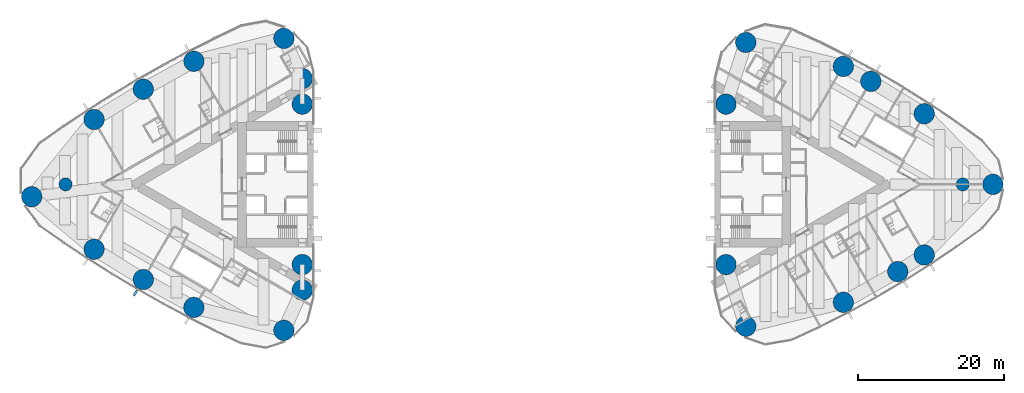
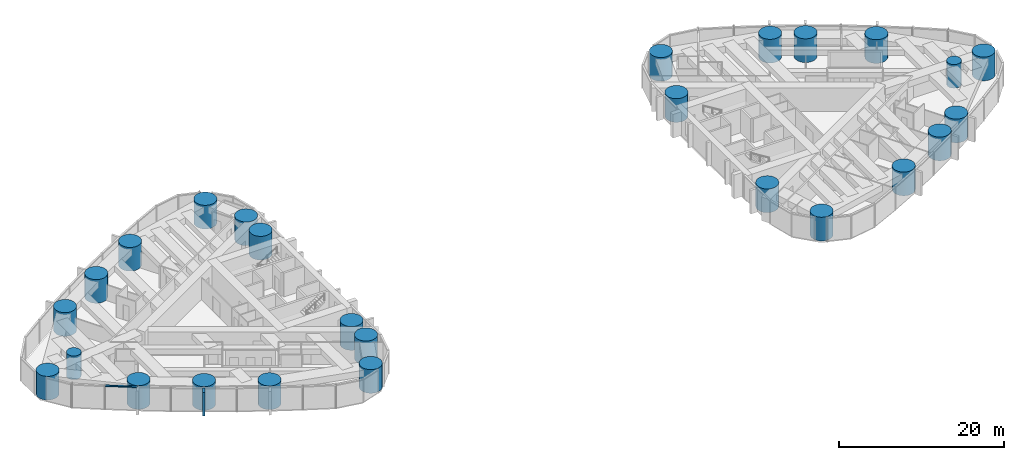
# One storey, part 1 of 19: 26 columns, 2 members, 1 element without a shape of its own.
"""IFC4 building model written with IfcOpenShell, lengths in metres."""

from ifc_helpers import new_model, si_unit, direction, frame, origin, origin_2d, place, context, subcontext, project, spatial, rectangle, circle, extrude, material, material_profile, profile_set, type_object, element, aggregate, save


model = new_model("IFC4")

# Units and contexts
model_context = context("Model", 3, precision=1e-05, world=origin(), true_north=direction((0.0, 1.0)))
body_context = subcontext(model_context, "Body", "Model", "MODEL_VIEW")
ifc_project = project(units=[si_unit("LENGTHUNIT", "METRE"), si_unit("AREAUNIT", "SQUARE_METRE"), si_unit("VOLUMEUNIT", "CUBIC_METRE"), si_unit("PLANEANGLEUNIT", "RADIAN"), si_unit("MASSUNIT", "GRAM", prefix="KILO")], contexts=[model_context])

# Site, building, storey
site_placement = place(None, origin())
site = spatial("IfcSite", under=ifc_project, at=site_placement, CompositionType="ELEMENT")
building_placement = place(site_placement, origin())
building = spatial("IfcBuilding", under=site, at=building_placement, Name="Lancet Gate Hotel", CompositionType="ELEMENT")
storey_placement = place(building_placement, frame((0.0, 0.0, 191.300048828125)))
storey = spatial("IfcBuildingStorey", under=building, at=storey_placement, Name="L51", CompositionType="ELEMENT", Elevation=191.300048828125)

# Columns
ifc_material_1 = material(Name="Concrete C60/75", Category="concrete")
ifc_material_profile_1 = material_profile(ifc_material_1, circle(Radius=0.89990234375, at=origin_2d()), Name="RC D1800")
ifc_profile_set_1 = profile_set([ifc_material_profile_1], Name="Concrete C60/75")
column_type_1 = type_object("IfcColumnType", Name="Apex column RC D1800", PredefinedType="COLUMN", material=ifc_profile_set_1)
for number, where, z_axis, x_axis, name in (
    (1, (-61.5, 0.0, 0.0), (0.0, 0.0, 1.0), (1.0, 0.0, 0.0), "T1 column AX L51"),
    (2, (61.5, 0.0, 0.0), (0.0, 0.0, 1.0), (1.0, 0.0, 0.0), "T2 column AX L51"),
):
    element("IfcColumn", number, at=place(storey_placement, frame(where, z_axis=z_axis, x_axis=x_axis)), inside=storey, type_object=column_type_1, Name=name, PredefinedType="COLUMN", context=body_context, shape_type="SweptSolid", body=[
        extrude(circle(Radius=0.89990234375, at=origin_2d()), origin(), (0.0, 0.0, 1.0), 3.5),
    ])
ifc_material_2 = material(Name="Concrete C60/75", Category="concrete")
ifc_material_profile_2 = material_profile(ifc_material_2, circle(Radius=1.39990234375, at=origin_2d()), Name="RC D2800")
ifc_profile_set_2 = profile_set([ifc_material_profile_2], Name="Concrete C60/75")
column_type_2 = type_object("IfcColumnType", Name="Perimeter column RC D2800", PredefinedType="COLUMN", material=ifc_profile_set_2)
for number, where, z_axis, x_axis, name in (
    (3, (-66.142578125, -1.6953125, 0.0), (0.0, 0.0, 1.0), (1.0, 0.0, 0.0), "T1 column CA L51"),
    (4, (-31.5654296875, -20.015869140625, 0.0), (0.0, 0.0, 1.0), (1.0, 0.0, 0.0), "T1 column CN L51"),
    (5, (-31.5654296875, 20.015869140625, 0.0), (0.0, 0.0, 1.0), (1.0, 0.0, 0.0), "T1 column CS L51"),
    (6, (-29.050048828125, -11.0, 0.0), (0.0, 0.0, 1.0), (1.0, 0.0, 0.0), "T1 column IN L51"),
    (7, (-29.050048828125, 11.0, 0.0), (0.0, 0.0, 1.0), (1.0, 0.0, 0.0), "T1 column IS L51"),
    (8, (-29.050048828125, 14.5, 0.0), (0.0, 0.0, 1.0), (1.0, 0.0, 0.0), "T1 column IT L51"),
    (9, (-29.050048828125, -14.5, 0.0), (0.0, 0.0, 1.0), (1.0, 0.0, 0.0), "T1 column JT L51"),
    (10, (-57.589599609375, -8.89306640625, 0.0), (0.0, 0.0, 1.0), (1.0, 0.0, 0.0), "T1 column ON1 L51"),
    (11, (-50.8388671875, -13.043212890625, 0.0), (0.0, 0.0, 1.0), (1.0, 0.0, 0.0), "T1 column ON2 L51"),
    (12, (-43.900390625, -16.871337890625, 0.0), (0.0, 0.0, 1.0), (1.0, 0.0, 0.0), "T1 column ON3 L51"),
    (13, (-43.900390625, 16.871337890625, 0.0), (0.0, 0.0, 1.0), (1.0, 0.0, 0.0), "T1 column OS1 L51"),
    (14, (-50.8388671875, 13.043212890625, 0.0), (0.0, 0.0, 1.0), (1.0, 0.0, 0.0), "T1 column OS2 L51"),
    (15, (-57.589599609375, 8.89306640625, 0.0), (0.0, 0.0, 1.0), (1.0, 0.0, 0.0), "T1 column OS3 L51"),
    (16, (65.6396484375, 0.0, 0.0), (0.0, 0.0, 1.0), (1.0, 0.0, 0.0), "T2 column CA L51"),
    (17, (31.759765625, 19.455810546875, 0.0), (0.0, 0.0, 1.0), (1.0, 0.0, 0.0), "T2 column CN L51"),
    (18, (31.759765625, -19.455810546875, 0.0), (0.0, 0.0, 1.0), (1.0, 0.0, 0.0), "T2 column CS L51"),
    (19, (29.050048828125, 11.0, 0.0), (0.0, 0.0, 1.0), (1.0, 0.0, 0.0), "T2 column IN L51"),
    (20, (29.050048828125, -11.0, 0.0), (0.0, 0.0, 1.0), (1.0, 0.0, 0.0), "T2 column IS L51"),
    (21, (56.220947265625, 9.67236328125, 0.0), (0.0, 0.0, 1.0), (1.0, 0.0, 0.0), "T2 column ON1 L51"),
    (22, (48.8974609375, 14.12060546875, 0.0), (0.0, 0.0, 1.0), (1.0, 0.0, 0.0), "T2 column ON2 L51"),
    (23, (45.133544921875, 16.16845703125, 0.0), (0.0, 0.0, 1.0), (1.0, 0.0, 0.0), "T2 column ON3 L51"),
    (24, (45.133544921875, -16.16845703125, 0.0), (0.0, 0.0, 1.0), (1.0, 0.0, 0.0), "T2 column OS1 L51"),
    (25, (52.594482421875, -11.95458984375, 0.0), (0.0, 0.0, 1.0), (1.0, 0.0, 0.0), "T2 column OS2 L51"),
    (26, (56.220947265625, -9.67236328125, 0.0), (0.0, 0.0, 1.0), (1.0, 0.0, 0.0), "T2 column OS3 L51"),
):
    element("IfcColumn", number, at=place(storey_placement, frame(where, z_axis=z_axis, x_axis=x_axis)), inside=storey, type_object=column_type_2, Name=name, PredefinedType="COLUMN", context=body_context, shape_type="SweptSolid", body=[
        extrude(circle(Radius=1.39990234375, at=origin_2d()), origin(), (0.0, 0.0, 1.0), 3.5),
    ])

# Curtain wall, members
ifc_material_3 = material(Name="Aluminium curtain wall", Category="aluminium")
curtain_wall_type = type_object("IfcCurtainWallType", Name="Tower unitised curtain wall", PredefinedType="USERDEFINED", material=ifc_material_3)
curtain_wall_placement = place(storey_placement, origin())
curtain_wall = element("IfcCurtainWall", 27, at=curtain_wall_placement, inside=storey, type_object=curtain_wall_type, Name="T1 L51 curtain wall 3", ObjectType="UNITISED CURTAIN WALL", PredefinedType="USERDEFINED")
ifc_material_4 = material(Name="Aluminium transom", Category="aluminium")
ifc_material_profile_3 = material_profile(ifc_material_4, rectangle(XDim=0.25, YDim=0.14990234375, at=origin_2d()), Name="TRANSOM 250x150")
ifc_profile_set_3 = profile_set([ifc_material_profile_3], Name="Aluminium transom")
member_type_1 = type_object("IfcMemberType", Name="Aluminium transom 250x150", PredefinedType="USERDEFINED", material=ifc_profile_set_3)
member_1_placement = place(storey_placement, frame((-61.735595703125, -7.998779296875, 3.425048828125), z_axis=(0.832870509189, -0.553467898729, 0.0), x_axis=(0.553467898729, 0.832870509189, 0.0)))
member_1 = element("IfcMember", 28, at=member_1_placement, type_object=member_type_1, Name="T1 L51 curtain wall 3 transom 3", ObjectType="TRANSOM", PredefinedType="USERDEFINED", context=body_context, shape_type="SweptSolid", body=[
    extrude(rectangle(XDim=0.25, YDim=0.14990234375, at=origin_2d()), origin(), (0.0, 0.0, 1.0), 3.933837890625),
])
ifc_material_5 = material(Name="Precast concrete C50/60", Category="concrete")
ifc_material_profile_4 = material_profile(ifc_material_5, rectangle(XDim=0.300048828125, YDim=0.89990234375, at=origin_2d()), Name="FIN 300x900")
ifc_profile_set_4 = profile_set([ifc_material_profile_4], Name="Precast concrete C50/60")
member_type_2 = type_object("IfcMemberType", Name="Exposed concrete fin 300x900", PredefinedType="USERDEFINED", material=ifc_profile_set_4)
member_2_placement = place(storey_placement, frame((-51.908935546875, -14.879150390625, 0.0), z_axis=(0.0, 0.0, 1.0), x_axis=(0.863968774311, -0.503545387245, 0.0)))
member_2 = element("IfcMember", 29, at=member_2_placement, type_object=member_type_2, Name="T1 L51 curtain wall 3 fin 6", ObjectType="FIN", PredefinedType="USERDEFINED", context=body_context, shape_type="SweptSolid", body=[
    extrude(rectangle(XDim=0.300048828125, YDim=0.89990234375, at=origin_2d()), origin(), (0.0, 0.0, 1.0), 3.5),
])
aggregate(curtain_wall, [member_2, member_1])

save(model, "model.ifc")
